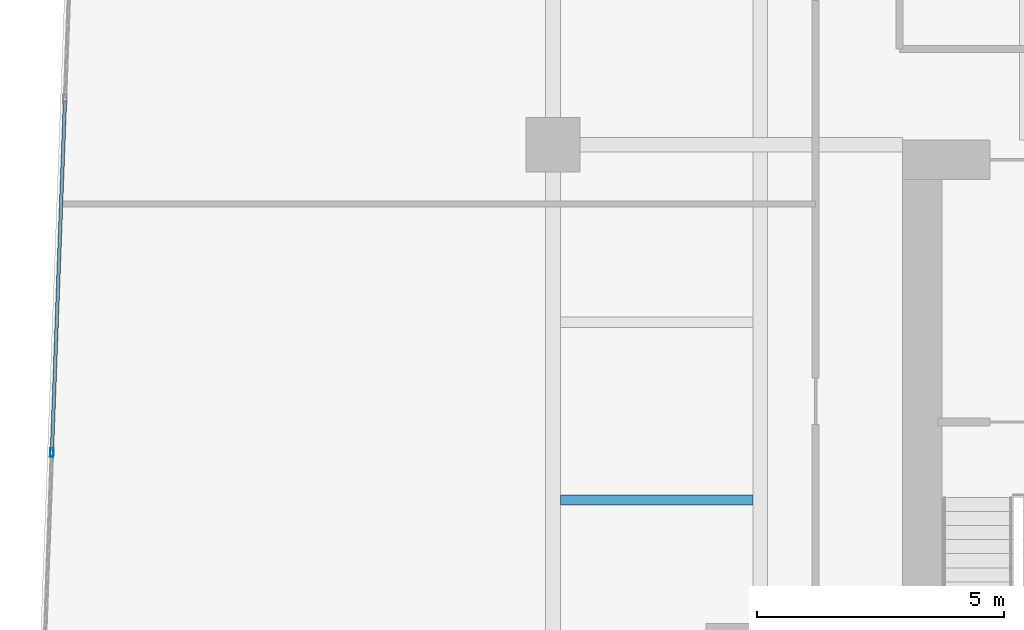
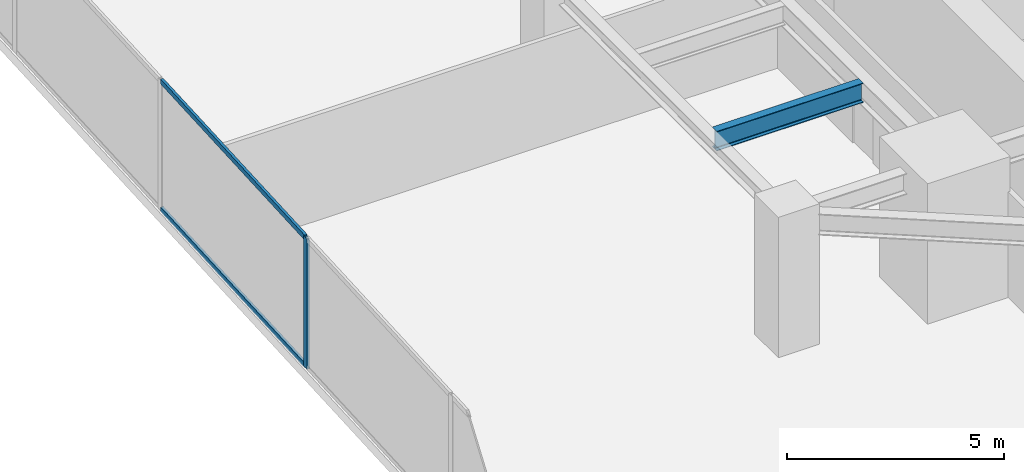
# One storey, part 8 of 30: 3 members, 1 beam, 1 element without a shape of its own.
"""IFC4 building model written with IfcOpenShell, lengths in metres."""

from ifc_helpers import new_model, si_unit, direction, frame, origin, origin_2d, place, context, subcontext, project, spatial, hollow_rectangle, i_section, extrude, source, transform, mapped, material, material_profile, profile_set, type_object, type_shapes, element, aggregate, save


model = new_model("IFC4")

# Units and contexts
model_context = context("Model", 3, precision=1e-05, world=origin(), true_north=direction((0.0, 1.0)))
body_context = subcontext(model_context, "Body", "Model", "MODEL_VIEW")
ifc_project = project(units=[si_unit("LENGTHUNIT", "METRE"), si_unit("AREAUNIT", "SQUARE_METRE"), si_unit("VOLUMEUNIT", "CUBIC_METRE"), si_unit("PLANEANGLEUNIT", "RADIAN"), si_unit("MASSUNIT", "GRAM", prefix="KILO")], contexts=[model_context])

# Site, building, storey
site_placement = place(None, origin())
site = spatial("IfcSite", under=ifc_project, at=site_placement, CompositionType="ELEMENT")
building_placement = place(site_placement, origin())
building = spatial("IfcBuilding", under=site, at=building_placement, Name="Krantzveldt Concourse Tower", CompositionType="ELEMENT")
storey_placement = place(building_placement, frame((0.0, 0.0, 36.85009765625)))
storey = spatial("IfcBuildingStorey", under=building, at=storey_placement, Name="L08", CompositionType="ELEMENT", Elevation=36.85009765625)

# Beam
ifc_material_1 = material(Name="Steel S355JR", Category="steel")
ifc_material_profile_1 = material_profile(ifc_material_1, i_section(OverallWidth=0.2099609375, OverallDepth=0.550048828125, WebThickness=0.010986328125, FlangeThickness=0.01708984375, FilletRadius=0.02392578125, at=origin_2d()), Name="Steel S355JR", Category="steel")
ifc_profile_set_1 = profile_set([ifc_material_profile_1], Name="Steel S355JR - IPE 550")
beam_type = type_object("IfcBeamType", Name="BM-J-IPE550", PredefinedType="JOIST", material=ifc_profile_set_1)
shared_shape_1 = source(origin(), body_context, "Body", "SweptSolid", [
    extrude(i_section(OverallWidth=0.2099609375, OverallDepth=0.550048828125, WebThickness=0.010986328125, FlangeThickness=0.01708984375, FilletRadius=0.02392578125, at=origin_2d()), origin(), (0.0, 0.0, 1.0), 3.900146484375),
])
type_shapes(beam_type, [shared_shape_1])
beam_placement = place(storey_placement, frame((21.14990234375, 19.5, 3.39501953125), z_axis=(1.0, 0.0, 0.0), x_axis=(0.0, 1.0, 0.0)))
element("IfcBeam", 1, at=beam_placement, inside=storey, type_object=beam_type, Name="L08 Secondary Floor Joist JW-1", PredefinedType="JOIST", context=body_context, shape_type="MappedRepresentation", body=[
    mapped(shared_shape_1, transform((0.0, 0.0, 0.0), x_axis=(1.0, 0.0, 0.0), y_axis=(0.0, 1.0, 0.0), z_axis=(0.0, 0.0, 1.0), scale=1.0)),
])

# Curtain wall, members
ifc_material_2 = material(Name="Anodised aluminium 6063-T6", Category="aluminium")
curtain_wall_type = type_object("IfcCurtainWallType", Name="CW2", PredefinedType="USERDEFINED", material=ifc_material_2)
curtain_wall_placement = place(storey_placement, origin())
curtain_wall = element("IfcCurtainWall", 2, at=curtain_wall_placement, inside=storey, type_object=curtain_wall_type, Name="CW-L08-F01", ObjectType="UNITISED CURTAIN WALL", PredefinedType="USERDEFINED")
ifc_material_profile_2 = material_profile(ifc_material_2, hollow_rectangle(XDim=0.070068359375, YDim=0.179931640625, WallThickness=0.0048828125, at=origin_2d()), Name="Anodised aluminium 6063-T6", Category="aluminium")
ifc_profile_set_2 = profile_set([ifc_material_profile_2], Name="Anodised aluminium 6063-T6 - ALU-MULL 180x70x5")
member_type_1 = type_object("IfcMemberType", Name="CW-MUL-180", PredefinedType="MULLION", material=ifc_profile_set_2)
shared_shape_2 = source(origin(), body_context, "Body", "SweptSolid", [
    extrude(hollow_rectangle(XDim=0.070068359375, YDim=0.179931640625, WallThickness=0.0048828125, at=origin_2d()), origin(), (0.0, 0.0, 1.0), 3.669921875),
])
type_shapes(member_type_1, [shared_shape_2])
member_1_placement = place(storey_placement, frame((10.84130859375, 20.4619140625, 0.0), z_axis=(0.0, 0.0, 1.0), x_axis=(0.999312308986, -0.037079766834, 0.0)))
member_1 = element("IfcMember", 3, at=member_1_placement, type_object=member_type_1, Name="CW-Z12 mullion 5", PredefinedType="MULLION", context=body_context, shape_type="MappedRepresentation", body=[
    mapped(shared_shape_2, transform((0.0, 0.0, 0.0), x_axis=(1.0, 0.0, 0.0), y_axis=(0.0, 1.0, 0.0), z_axis=(0.0, 0.0, 1.0), scale=1.0)),
])
ifc_material_profile_3 = material_profile(ifc_material_2, hollow_rectangle(XDim=0.070068359375, YDim=0.139892578125, WallThickness=0.0048828125, at=origin_2d()), Name="Anodised aluminium 6063-T6", Category="aluminium")
ifc_profile_set_3 = profile_set([ifc_material_profile_3], Name="Anodised aluminium 6063-T6 - ALU-TRAN 140x70x5")
member_type_2 = type_object("IfcMemberType", Name="CW-TRN-150", PredefinedType="USERDEFINED", material=ifc_profile_set_3)
shared_shape_3 = source(origin(), body_context, "Body", "SweptSolid", [
    extrude(hollow_rectangle(XDim=0.070068359375, YDim=0.139892578125, WallThickness=0.0048828125, at=origin_2d()), origin(), (0.0, 0.0, 1.0), 7.0966796875),
])
type_shapes(member_type_2, [shared_shape_3])
member_2_placement = place(storey_placement, frame((11.10595703125, 27.588623046875, 0.034912109375), z_axis=(-0.037085459975, -0.999312097724, 0.0), x_axis=(0.999312097724, -0.037085459975, 0.0)))
member_2 = element("IfcMember", 4, at=member_2_placement, type_object=member_type_2, Name="CW-Z12 transom 4.1", ObjectType="TRANSOM", PredefinedType="USERDEFINED", context=body_context, shape_type="MappedRepresentation", body=[
    mapped(shared_shape_3, transform((0.0, 0.0, 0.0), x_axis=(1.0, 0.0, 0.0), y_axis=(0.0, 1.0, 0.0), z_axis=(0.0, 0.0, 1.0), scale=1.0)),
])
member_3_placement = place(storey_placement, frame((11.10595703125, 27.588623046875, 3.635009765625), z_axis=(-0.037085459975, -0.999312097724, 0.0), x_axis=(0.999312097724, -0.037085459975, 0.0)))
member_3 = element("IfcMember", 5, at=member_3_placement, type_object=member_type_2, Name="CW-Z12 transom 4.2", ObjectType="TRANSOM", PredefinedType="USERDEFINED", context=body_context, shape_type="MappedRepresentation", body=[
    mapped(shared_shape_3, transform((0.0, 0.0, 0.0), x_axis=(1.0, 0.0, 0.0), y_axis=(0.0, 1.0, 0.0), z_axis=(0.0, 0.0, 1.0), scale=1.0)),
])
aggregate(curtain_wall, [member_1, member_2, member_3])

save(model, "model.ifc")
